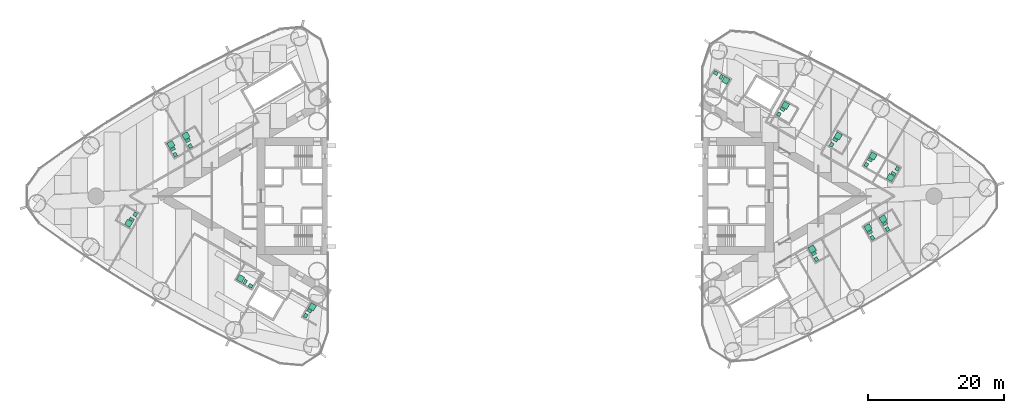
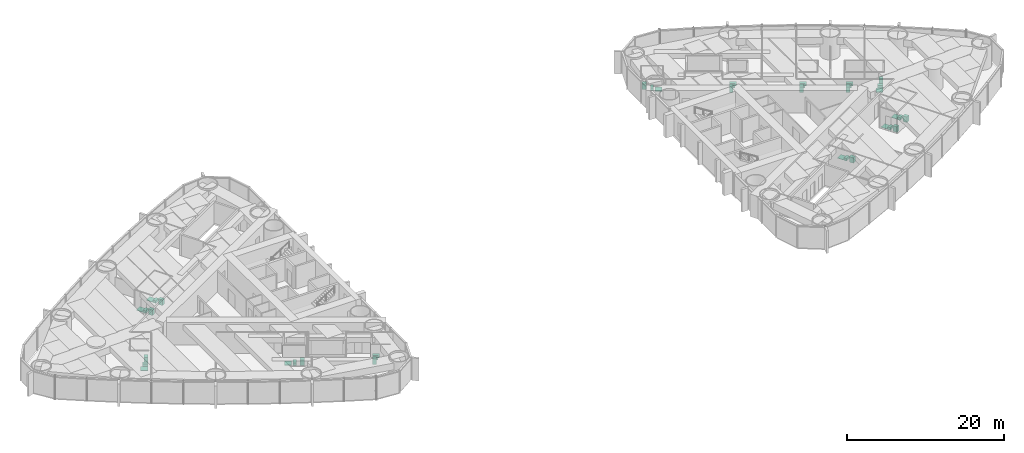
# One storey, part 18 of 18: 17 sanitary terminals.
"""IFC4 building model written with IfcOpenShell, lengths in metres."""

from ifc_helpers import new_model, si_unit, direction, frame, origin, origin_2d, place, context, subcontext, project, spatial, rectangle, extrude, material, type_object, element, save


model = new_model("IFC4")

# Units and contexts
model_context = context("Model", 3, precision=1e-05, world=origin(), true_north=direction((0.0, 1.0)))
body_context = subcontext(model_context, "Body", "Model", "MODEL_VIEW")
ifc_project = project(units=[si_unit("LENGTHUNIT", "METRE"), si_unit("AREAUNIT", "SQUARE_METRE"), si_unit("VOLUMEUNIT", "CUBIC_METRE"), si_unit("PLANEANGLEUNIT", "RADIAN"), si_unit("MASSUNIT", "GRAM", prefix="KILO")], contexts=[model_context])

# Site, building, storey
site_placement = place(None, origin())
site = spatial("IfcSite", under=ifc_project, at=site_placement, CompositionType="ELEMENT")
building_placement = place(site_placement, origin())
building = spatial("IfcBuilding", under=site, at=building_placement, Name="Lancet Gate Hotel", CompositionType="ELEMENT")
storey_placement = place(building_placement, frame((0.0, 0.0, 118.60009765625)))
storey = spatial("IfcBuildingStorey", under=building, at=storey_placement, Name="L31", CompositionType="ELEMENT", Elevation=118.60009765625)

# Sanitary terminals
ifc_material_1 = material(Name="Vitreous china sanitary ware")
sanitary_terminal_type_1 = type_object("IfcSanitaryTerminalType", Name="En-suite sanitary set (shower, WC, basin)", PredefinedType="USERDEFINED", material=ifc_material_1)
sanitary_terminal_1_placement = place(storey_placement, frame((-50.51611328125, 7.5703125, 0.0), z_axis=(0.0, 0.0, 1.0), x_axis=(1.0, 0.0, 0.0)))
element("IfcSanitaryTerminal", 1, at=sanitary_terminal_1_placement, inside=storey, type_object=sanitary_terminal_type_1, Name="En-suite sanitary set (shower, WC, basin) 3103", ObjectType="EN-SUITE SANITARY SET", PredefinedType="USERDEFINED", context=body_context, shape_type="SweptSolid", body=[
    extrude(rectangle(XDim=0.89990234375, YDim=0.89990234375, at=origin_2d()), frame((0.0, 0.0, 0.0), z_axis=(0.0, 0.0, 1.0), x_axis=(-0.5, 0.866025403784, 0.0)), (0.0, 0.0, 1.0), 0.050048828125),
    extrude(rectangle(XDim=0.39990234375, YDim=0.699951171875, at=origin_2d()), frame((0.278564453125, -0.68212890625, 0.0), z_axis=(0.0, 0.0, 1.0), x_axis=(-0.5, 0.866025403784, 0.0)), (0.0, 0.0, 1.0), 0.39990234375),
    extrude(rectangle(XDim=0.60009765625, YDim=0.5, at=origin_2d()), frame((0.6318359375, -1.494140625, 0.0), z_axis=(0.0, 0.0, 1.0), x_axis=(-0.5, 0.866025403784, 0.0)), (0.0, 0.0, 1.0), 0.85009765625),
])
sanitary_terminal_2_placement = place(storey_placement, frame((-56.7255859375, -3.985107421875, 0.0), z_axis=(0.0, 0.0, 1.0), x_axis=(1.0, 0.0, 0.0)))
element("IfcSanitaryTerminal", 2, at=sanitary_terminal_2_placement, inside=storey, type_object=sanitary_terminal_type_1, Name="En-suite sanitary set (shower, WC, basin) 3105", ObjectType="EN-SUITE SANITARY SET", PredefinedType="USERDEFINED", context=body_context, shape_type="SweptSolid", body=[
    extrude(rectangle(XDim=0.89990234375, YDim=0.89990234375, at=origin_2d()), frame((0.0, 0.0, 0.0), z_axis=(0.0, 0.0, 1.0), x_axis=(-0.5, -0.866025403784, 0.0)), (0.0, 0.0, 1.0), 0.050048828125),
    extrude(rectangle(XDim=0.39990234375, YDim=0.699951171875, at=origin_2d()), frame((0.451416015625, 0.58203125, 0.0), z_axis=(0.0, 0.0, 1.0), x_axis=(-0.5, -0.866025403784, 0.0)), (0.0, 0.0, 1.0), 0.39990234375),
    extrude(rectangle(XDim=0.60009765625, YDim=0.5, at=origin_2d()), frame((0.97802734375, 1.294189453125, 0.0), z_axis=(0.0, 0.0, 1.0), x_axis=(-0.5, -0.866025403784, 0.0)), (0.0, 0.0, 1.0), 0.85009765625),
])
sanitary_terminal_3_placement = place(storey_placement, frame((-48.3076171875, 8.845458984375, 0.0), z_axis=(0.0, 0.0, 1.0), x_axis=(1.0, 0.0, 0.0)))
element("IfcSanitaryTerminal", 3, at=sanitary_terminal_3_placement, inside=storey, type_object=sanitary_terminal_type_1, Name="En-suite sanitary set (shower, WC, basin) 3102", ObjectType="EN-SUITE SANITARY SET", PredefinedType="USERDEFINED", context=body_context, shape_type="SweptSolid", body=[
    extrude(rectangle(XDim=0.89990234375, YDim=0.89990234375, at=origin_2d()), frame((0.0, 0.0, 0.0), z_axis=(0.0, 0.0, 1.0), x_axis=(-0.5, 0.866025403784, 0.0)), (0.0, 0.0, 1.0), 0.050048828125),
    extrude(rectangle(XDim=0.39990234375, YDim=0.699951171875, at=origin_2d()), frame((0.2783203125, -0.682373046875, 0.0), z_axis=(0.0, 0.0, 1.0), x_axis=(-0.5, 0.866025403784, 0.0)), (0.0, 0.0, 1.0), 0.39990234375),
    extrude(rectangle(XDim=0.60009765625, YDim=0.5, at=origin_2d()), frame((0.6318359375, -1.494384765625, 0.0), z_axis=(0.0, 0.0, 1.0), x_axis=(-0.5, 0.866025403784, 0.0)), (0.0, 0.0, 1.0), 0.85009765625),
])
sanitary_terminal_4_placement = place(storey_placement, frame((-29.751708984375, -16.256103515625, 0.0), z_axis=(0.0, 0.0, 1.0), x_axis=(1.0, 0.0, 0.0)))
element("IfcSanitaryTerminal", 4, at=sanitary_terminal_4_placement, inside=storey, type_object=sanitary_terminal_type_1, Name="En-suite sanitary set (shower, WC, basin) 3108", ObjectType="EN-SUITE SANITARY SET", PredefinedType="USERDEFINED", context=body_context, shape_type="SweptSolid", body=[
    extrude(rectangle(XDim=0.89990234375, YDim=0.89990234375, at=origin_2d()), frame((0.0, 0.0, 0.0), z_axis=(0.0, 0.0, 1.0), x_axis=(0.5, 0.866025403784, 0.0)), (0.0, 0.0, 1.0), 0.050048828125),
    extrude(rectangle(XDim=0.39990234375, YDim=0.699951171875, at=origin_2d()), frame((-0.45166015625, -0.582275390625, 0.0), z_axis=(0.0, 0.0, 1.0), x_axis=(0.5, 0.866025403784, 0.0)), (0.0, 0.0, 1.0), 0.39990234375),
    extrude(rectangle(XDim=0.60009765625, YDim=0.5, at=origin_2d()), frame((-0.978271484375, -1.29443359375, 0.0), z_axis=(0.0, 0.0, 1.0), x_axis=(0.5, 0.866025403784, 0.0)), (0.0, 0.0, 1.0), 0.85009765625),
])
sanitary_terminal_5_placement = place(storey_placement, frame((43.5888671875, -7.767333984375, 0.0), z_axis=(0.0, 0.0, 1.0), x_axis=(1.0, 0.0, 0.0)))
element("IfcSanitaryTerminal", 5, at=sanitary_terminal_5_placement, inside=storey, type_object=sanitary_terminal_type_1, Name="En-suite sanitary set (shower, WC, basin) 3154", ObjectType="EN-SUITE SANITARY SET", PredefinedType="USERDEFINED", context=body_context, shape_type="SweptSolid", body=[
    extrude(rectangle(XDim=0.89990234375, YDim=0.89990234375, at=origin_2d()), frame((0.0, 0.0, 0.0), z_axis=(0.0, 0.0, 1.0), x_axis=(-0.5, 0.866025403784, 0.0)), (0.0, 0.0, 1.0), 0.050048828125),
    extrude(rectangle(XDim=0.39990234375, YDim=0.699951171875, at=origin_2d()), frame((0.2783203125, -0.68212890625, 0.0), z_axis=(0.0, 0.0, 1.0), x_axis=(-0.5, 0.866025403784, 0.0)), (0.0, 0.0, 1.0), 0.39990234375),
    extrude(rectangle(XDim=0.60009765625, YDim=0.5, at=origin_2d()), frame((0.6318359375, -1.494384765625, 0.0), z_axis=(0.0, 0.0, 1.0), x_axis=(-0.5, 0.866025403784, 0.0)), (0.0, 0.0, 1.0), 0.85009765625),
])
sanitary_terminal_6_placement = place(storey_placement, frame((51.816650390625, -4.633544921875, 0.0), z_axis=(0.0, 0.0, 1.0), x_axis=(1.0, 0.0, 0.0)))
element("IfcSanitaryTerminal", 6, at=sanitary_terminal_6_placement, inside=storey, type_object=sanitary_terminal_type_1, Name="En-suite sanitary set (shower, WC, basin) 3155", ObjectType="EN-SUITE SANITARY SET", PredefinedType="USERDEFINED", context=body_context, shape_type="SweptSolid", body=[
    extrude(rectangle(XDim=0.89990234375, YDim=0.89990234375, at=origin_2d()), frame((0.0, 0.0, 0.0), z_axis=(0.0, 0.0, 1.0), x_axis=(-0.5, 0.866025403784, 0.0)), (0.0, 0.0, 1.0), 0.050048828125),
    extrude(rectangle(XDim=0.39990234375, YDim=0.699951171875, at=origin_2d()), frame((0.2783203125, -0.682373046875, 0.0), z_axis=(0.0, 0.0, 1.0), x_axis=(-0.5, 0.866025403784, 0.0)), (0.0, 0.0, 1.0), 0.39990234375),
    extrude(rectangle(XDim=0.60009765625, YDim=0.5, at=origin_2d()), frame((0.6318359375, -1.494384765625, 0.0), z_axis=(0.0, 0.0, 1.0), x_axis=(-0.5, 0.866025403784, 0.0)), (0.0, 0.0, 1.0), 0.85009765625),
])
sanitary_terminal_7_placement = place(storey_placement, frame((54.02490234375, -3.358642578125, 0.0), z_axis=(0.0, 0.0, 1.0), x_axis=(1.0, 0.0, 0.0)))
element("IfcSanitaryTerminal", 7, at=sanitary_terminal_7_placement, inside=storey, type_object=sanitary_terminal_type_1, Name="En-suite sanitary set (shower, WC, basin) 3157", ObjectType="EN-SUITE SANITARY SET", PredefinedType="USERDEFINED", context=body_context, shape_type="SweptSolid", body=[
    extrude(rectangle(XDim=0.89990234375, YDim=0.89990234375, at=origin_2d()), frame((0.0, 0.0, 0.0), z_axis=(0.0, 0.0, 1.0), x_axis=(-0.5, 0.866025403784, 0.0)), (0.0, 0.0, 1.0), 0.050048828125),
    extrude(rectangle(XDim=0.39990234375, YDim=0.699951171875, at=origin_2d()), frame((0.278564453125, -0.68212890625, 0.0), z_axis=(0.0, 0.0, 1.0), x_axis=(-0.5, 0.866025403784, 0.0)), (0.0, 0.0, 1.0), 0.39990234375),
    extrude(rectangle(XDim=0.60009765625, YDim=0.5, at=origin_2d()), frame((0.6318359375, -1.494140625, 0.0), z_axis=(0.0, 0.0, 1.0), x_axis=(-0.5, 0.866025403784, 0.0)), (0.0, 0.0, 1.0), 0.85009765625),
])
sanitary_terminal_8_placement = place(storey_placement, frame((55.1162109375, 2.728515625, 0.0), z_axis=(0.0, 0.0, 1.0), x_axis=(1.0, 0.0, 0.0)))
element("IfcSanitaryTerminal", 8, at=sanitary_terminal_8_placement, inside=storey, type_object=sanitary_terminal_type_1, Name="En-suite sanitary set (shower, WC, basin) 3158", ObjectType="EN-SUITE SANITARY SET", PredefinedType="USERDEFINED", context=body_context, shape_type="SweptSolid", body=[
    extrude(rectangle(XDim=0.89990234375, YDim=0.89990234375, at=origin_2d()), frame((0.0, 0.0, 0.0), z_axis=(0.0, 0.0, 1.0), x_axis=(-0.5, -0.866025403784, 0.0)), (0.0, 0.0, 1.0), 0.050048828125),
    extrude(rectangle(XDim=0.39990234375, YDim=0.699951171875, at=origin_2d()), frame((0.45166015625, 0.582275390625, 0.0), z_axis=(0.0, 0.0, 1.0), x_axis=(-0.5, -0.866025403784, 0.0)), (0.0, 0.0, 1.0), 0.39990234375),
    extrude(rectangle(XDim=0.60009765625, YDim=0.5, at=origin_2d()), frame((0.978271484375, 1.29443359375, 0.0), z_axis=(0.0, 0.0, 1.0), x_axis=(-0.5, -0.866025403784, 0.0)), (0.0, 0.0, 1.0), 0.85009765625),
])
sanitary_terminal_9_placement = place(storey_placement, frame((52.546630859375, 5.89794921875, 0.0), z_axis=(0.0, 0.0, 1.0), x_axis=(1.0, 0.0, 0.0)))
element("IfcSanitaryTerminal", 9, at=sanitary_terminal_9_placement, inside=storey, type_object=sanitary_terminal_type_1, Name="En-suite sanitary set (shower, WC, basin) 3159", ObjectType="EN-SUITE SANITARY SET", PredefinedType="USERDEFINED", context=body_context, shape_type="SweptSolid", body=[
    extrude(rectangle(XDim=0.89990234375, YDim=0.89990234375, at=origin_2d()), frame((0.0, 0.0, 0.0), z_axis=(0.0, 0.0, 1.0), x_axis=(0.5, 0.866025403784, 0.0)), (0.0, 0.0, 1.0), 0.050048828125),
    extrude(rectangle(XDim=0.39990234375, YDim=0.699951171875, at=origin_2d()), frame((-0.45166015625, -0.58203125, 0.0), z_axis=(0.0, 0.0, 1.0), x_axis=(0.5, 0.866025403784, 0.0)), (0.0, 0.0, 1.0), 0.39990234375),
    extrude(rectangle(XDim=0.60009765625, YDim=0.5, at=origin_2d()), frame((-0.978271484375, -1.294189453125, 0.0), z_axis=(0.0, 0.0, 1.0), x_axis=(0.5, 0.866025403784, 0.0)), (0.0, 0.0, 1.0), 0.85009765625),
])
sanitary_terminal_10_placement = place(storey_placement, frame((47.443603515625, 8.84423828125, 0.0), z_axis=(0.0, 0.0, 1.0), x_axis=(1.0, 0.0, 0.0)))
element("IfcSanitaryTerminal", 10, at=sanitary_terminal_10_placement, inside=storey, type_object=sanitary_terminal_type_1, Name="En-suite sanitary set (shower, WC, basin) 3160", ObjectType="EN-SUITE SANITARY SET", PredefinedType="USERDEFINED", context=body_context, shape_type="SweptSolid", body=[
    extrude(rectangle(XDim=0.89990234375, YDim=0.89990234375, at=origin_2d()), frame((0.0, 0.0, 0.0), z_axis=(0.0, 0.0, 1.0), x_axis=(0.5, 0.866025403784, 0.0)), (0.0, 0.0, 1.0), 0.050048828125),
    extrude(rectangle(XDim=0.39990234375, YDim=0.699951171875, at=origin_2d()), frame((-0.451416015625, -0.582275390625, 0.0), z_axis=(0.0, 0.0, 1.0), x_axis=(0.5, 0.866025403784, 0.0)), (0.0, 0.0, 1.0), 0.39990234375),
    extrude(rectangle(XDim=0.60009765625, YDim=0.5, at=origin_2d()), frame((-0.97802734375, -1.29443359375, 0.0), z_axis=(0.0, 0.0, 1.0), x_axis=(0.5, 0.866025403784, 0.0)), (0.0, 0.0, 1.0), 0.85009765625),
])
sanitary_terminal_11_placement = place(storey_placement, frame((39.703857421875, 13.312744140625, 0.0), z_axis=(0.0, 0.0, 1.0), x_axis=(1.0, 0.0, 0.0)))
element("IfcSanitaryTerminal", 11, at=sanitary_terminal_11_placement, inside=storey, type_object=sanitary_terminal_type_1, Name="En-suite sanitary set (shower, WC, basin) 3162", ObjectType="EN-SUITE SANITARY SET", PredefinedType="USERDEFINED", context=body_context, shape_type="SweptSolid", body=[
    extrude(rectangle(XDim=0.89990234375, YDim=0.89990234375, at=origin_2d()), frame((0.0, 0.0, 0.0), z_axis=(0.0, 0.0, 1.0), x_axis=(0.5, 0.866025403784, 0.0)), (0.0, 0.0, 1.0), 0.050048828125),
    extrude(rectangle(XDim=0.39990234375, YDim=0.699951171875, at=origin_2d()), frame((-0.45166015625, -0.58203125, 0.0), z_axis=(0.0, 0.0, 1.0), x_axis=(0.5, 0.866025403784, 0.0)), (0.0, 0.0, 1.0), 0.39990234375),
    extrude(rectangle(XDim=0.60009765625, YDim=0.5, at=origin_2d()), frame((-0.978271484375, -1.294189453125, 0.0), z_axis=(0.0, 0.0, 1.0), x_axis=(0.5, 0.866025403784, 0.0)), (0.0, 0.0, 1.0), 0.85009765625),
])
ifc_material_2 = material(Name="Stone resin shower tray", Category="masonry")
sanitary_terminal_type_2 = type_object("IfcSanitaryTerminalType", Name="Shower tray 900", PredefinedType="SHOWER", material=ifc_material_2)
for number, where, z_axis, x_axis, name in (
    (12, (-40.2763671875, -12.0966796875, 0.0), (0.0, 0.0, 1.0), (-0.866025403784, 0.5, 0.0), "Shower tray 900 3107"),
    (13, (30.927978515625, 16.993896484375, 0.0), (0.0, 0.0, 1.0), (0.866025403784, -0.5, 0.0), "Shower tray 900 3163"),
):
    element("IfcSanitaryTerminal", number, at=place(storey_placement, frame(where, z_axis=z_axis, x_axis=x_axis)), inside=storey, type_object=sanitary_terminal_type_2, Name=name, PredefinedType="SHOWER", context=body_context, shape_type="SweptSolid", body=[
        extrude(rectangle(XDim=0.89990234375, YDim=0.89990234375, at=origin_2d()), origin(), (0.0, 0.0, 1.0), 0.050048828125),
    ])
ifc_material_3 = material(Name="Vitreous china sanitary ware")
sanitary_terminal_type_3 = type_object("IfcSanitaryTerminalType", Name="Vanity basin 600", PredefinedType="WASHHANDBASIN", material=ifc_material_3)
for number, where, z_axis, x_axis, name in (
    (14, (-38.808837890625, -13.1748046875, -0.000244140625), (0.0, 0.0, 1.0), (-0.866025403784, 0.5, 0.0), "Vanity basin 600 3107"),
    (15, (29.460693359375, 18.072021484375, -0.000244140625), (0.0, 0.0, 1.0), (0.866025403784, -0.5, 0.0), "Vanity basin 600 3163"),
):
    element("IfcSanitaryTerminal", number, at=place(storey_placement, frame(where, z_axis=z_axis, x_axis=x_axis)), inside=storey, type_object=sanitary_terminal_type_3, Name=name, PredefinedType="WASHHANDBASIN", context=body_context, shape_type="SweptSolid", body=[
        extrude(rectangle(XDim=0.60009765625, YDim=0.5, at=origin_2d()), origin(), (0.0, 0.0, 1.0), 0.85009765625),
    ])
ifc_material_4 = material(Name="Vitreous china sanitary ware")
sanitary_terminal_type_4 = type_object("IfcSanitaryTerminalType", Name="WC pan wall hung", PredefinedType="TOILETPAN", material=ifc_material_4)
for number, where, z_axis, x_axis, name in (
    (16, (-39.607421875, -12.59814453125, 0.0), (0.0, 0.0, 1.0), (-0.866025403784, 0.5, 0.0), "WC pan wall hung 3107"),
    (17, (30.25927734375, 17.495361328125, 0.0), (0.0, 0.0, 1.0), (0.866025403784, -0.5, 0.0), "WC pan wall hung 3163"),
):
    element("IfcSanitaryTerminal", number, at=place(storey_placement, frame(where, z_axis=z_axis, x_axis=x_axis)), inside=storey, type_object=sanitary_terminal_type_4, Name=name, PredefinedType="TOILETPAN", context=body_context, shape_type="SweptSolid", body=[
        extrude(rectangle(XDim=0.39990234375, YDim=0.699951171875, at=origin_2d()), origin(), (0.0, 0.0, 1.0), 0.39990234375),
    ])

save(model, "model.ifc")
